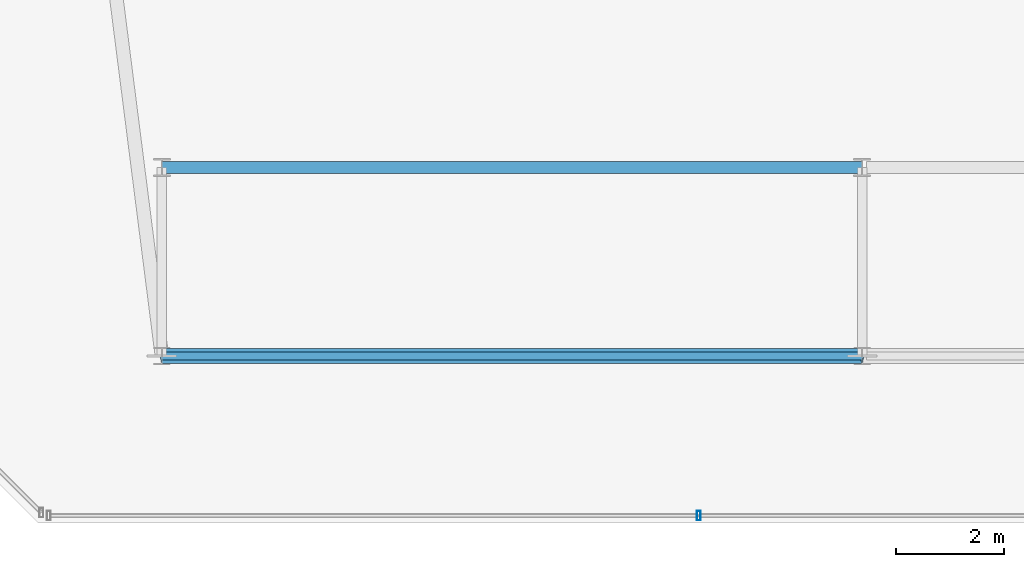
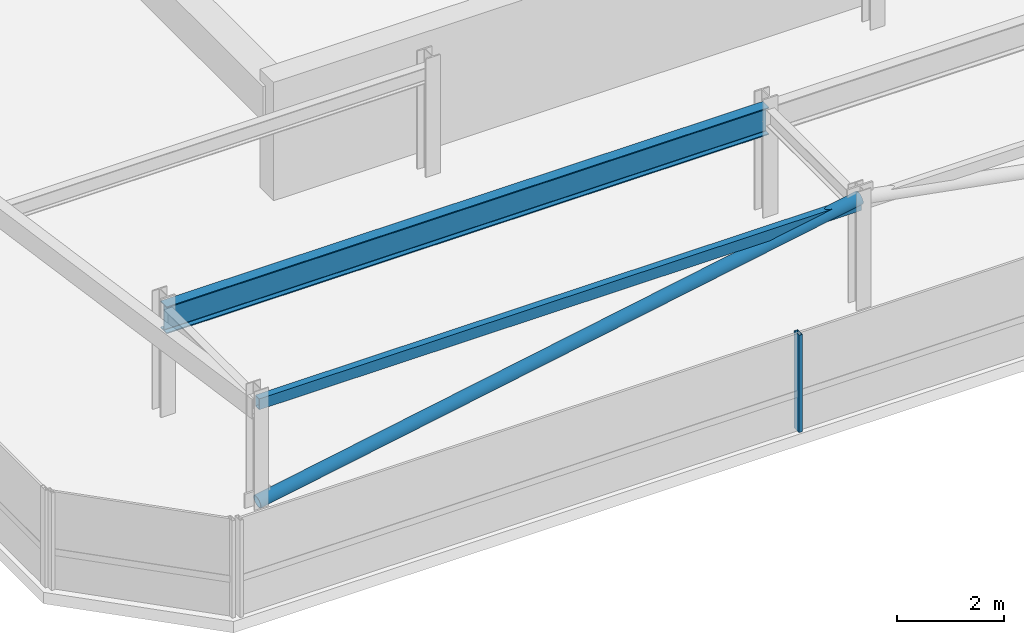
# One storey, part 8 of 42: 2 beams, 2 members, 1 element without a shape of its own.
"""IFC4 building model written with IfcOpenShell, lengths in metres."""

from ifc_helpers import new_model, si_unit, direction, frame, origin, origin_2d, place, context, subcontext, project, spatial, hollow_rectangle, hollow_circle, i_section, extrude, material, material_profile, profile_set, type_object, element, aggregate, save


model = new_model("IFC4")

# Units and contexts
model_context = context("Model", 3, precision=1e-05, world=origin(), true_north=direction((0.0, 1.0)))
body_context = subcontext(model_context, "Body", "Model", "MODEL_VIEW")
ifc_project = project(units=[si_unit("LENGTHUNIT", "METRE"), si_unit("AREAUNIT", "SQUARE_METRE"), si_unit("VOLUMEUNIT", "CUBIC_METRE"), si_unit("PLANEANGLEUNIT", "RADIAN"), si_unit("MASSUNIT", "GRAM", prefix="KILO")], contexts=[model_context])

# Site, building, storey
site_placement = place(None, origin())
site = spatial("IfcSite", under=ifc_project, at=site_placement, CompositionType="ELEMENT")
building_placement = place(site_placement, origin())
building = spatial("IfcBuilding", under=site, at=building_placement, Name="Thornwick Lancets Civic Towers", CompositionType="ELEMENT")
storey_placement = place(building_placement, frame((0.0, 0.0, 289.5)))
storey = spatial("IfcBuildingStorey", under=building, at=storey_placement, Name="C04", CompositionType="ELEMENT", Elevation=289.5)

# Beams
ifc_material_1 = material(Name="Steel S355JR", Category="steel")
ifc_material_profile_1 = material_profile(ifc_material_1, hollow_rectangle(XDim=0.14990234375, YDim=0.25, WallThickness=0.012451171875, at=origin_2d()), Name="RHS 250x150x12.5")
ifc_profile_set_1 = profile_set([ifc_material_profile_1], Name="Steel S355JR")
beam_type_1 = type_object("IfcBeamType", Name="BM_CROWN_RHS250", PredefinedType="BEAM", material=ifc_profile_set_1)
beam_1_placement = place(storey_placement, frame((12.5, 6.199951171875, 2.31494140625), z_axis=(1.0, 0.0, 0.0), x_axis=(0.0, 1.0, 0.0)))
element("IfcBeam", 1, at=beam_1_placement, inside=storey, type_object=beam_type_1, Name="BM-EDGE-C04-A-S0-1", PredefinedType="BEAM", context=body_context, shape_type="SweptSolid", body=[
    extrude(hollow_rectangle(XDim=0.14990234375, YDim=0.25, WallThickness=0.012451171875, at=origin_2d()), origin(), (0.0, 0.0, 1.0), 13.0),
])
ifc_material_profile_2 = material_profile(ifc_material_1, i_section(OverallWidth=0.230224609375, OverallDepth=0.6171875, WebThickness=0.01318359375, FlangeThickness=0.022216796875, FilletRadius=0.0126953125, at=origin_2d()), Name="UKB 610x229x140")
ifc_profile_set_2 = profile_set([ifc_material_profile_2], Name="Steel S355JR")
beam_type_2 = type_object("IfcBeamType", Name="BM_GIRD_610_140", PredefinedType="BEAM", material=ifc_profile_set_2)
beam_2_placement = place(storey_placement, frame((12.5, 9.699951171875, 2.13134765625), z_axis=(1.0, 0.0, 0.0), x_axis=(0.0, 1.0, 0.0)))
element("IfcBeam", 2, at=beam_2_placement, inside=storey, type_object=beam_type_2, Name="BM-SPINE-C04-A-0-1", PredefinedType="BEAM", context=body_context, shape_type="SweptSolid", body=[
    extrude(i_section(OverallWidth=0.230224609375, OverallDepth=0.6171875, WebThickness=0.01318359375, FlangeThickness=0.022216796875, FilletRadius=0.0126953125, at=origin_2d()), origin(), (0.0, 0.0, 1.0), 13.0),
])

# Curtain wall, member
ifc_material_2 = material(Name="Crown ring acoustic-louvre and glazing screen wall", Category="glass")
curtain_wall_type = type_object("IfcCurtainWallType", Name="CW_SYS_07", PredefinedType="NOTDEFINED", material=ifc_material_2)
curtain_wall_placement = place(storey_placement, origin())
curtain_wall = element("IfcCurtainWall", 3, at=curtain_wall_placement, inside=storey, type_object=curtain_wall_type, Name="C04 Curtain Wall CW-C04-A-E0", PredefinedType="NOTDEFINED")
ifc_material_3 = material(Name="Thermally broken bronze aluminium S355", Category="steel")
ifc_material_profile_3 = material_profile(ifc_material_3, hollow_rectangle(XDim=0.074951171875, YDim=0.179931640625, WallThickness=0.006103515625, at=origin_2d()), Name="RHS 180x75x6")
ifc_profile_set_3 = profile_set([ifc_material_profile_3], Name="Thermally broken bronze aluminium S355")
member_type_1 = type_object("IfcMemberType", Name="CW_MUL_180", PredefinedType="MULLION", material=ifc_profile_set_3)
member_1_placement = place(storey_placement, frame((22.46630859375, 3.2353515625, 0.0), z_axis=(0.0, 0.0, 1.0), x_axis=(1.0, 0.0, 0.0)))
member_1 = element("IfcMember", 4, at=member_1_placement, type_object=member_type_1, Name="CW-C04-A-E0 Mullion 1", PredefinedType="MULLION", context=body_context, shape_type="SweptSolid", body=[
    extrude(hollow_rectangle(XDim=0.074951171875, YDim=0.179931640625, WallThickness=0.006103515625, at=origin_2d()), origin(), (0.0, 0.0, 1.0), 2.219970703125),
])
aggregate(curtain_wall, [member_1])

# Member
ifc_material_profile_4 = material_profile(ifc_material_1, hollow_circle(Radius=0.136474609375, WallThickness=0.012451171875, at=origin_2d()), Name="CHS 273x12.5")
ifc_profile_set_4 = profile_set([ifc_material_profile_4], Name="Steel S355JR")
member_type_2 = type_object("IfcMemberType", Name="MEM_CROWN_CHS273", PredefinedType="BRACE", material=ifc_profile_set_4)
member_2_placement = place(storey_placement, frame((12.5, 6.199951171875, 0.050048828125), z_axis=(0.98351842104, 0.0, 0.180807951915), x_axis=(0.0, 1.0, 0.0)))
element("IfcMember", 5, at=member_2_placement, inside=storey, type_object=member_type_2, Name="C04 Crown Ring Lancet Rib A-S0-L", PredefinedType="BRACE", context=body_context, shape_type="SweptSolid", body=[
    extrude(hollow_circle(Radius=0.136474609375, WallThickness=0.012451171875, at=origin_2d()), origin(), (0.0, 0.0, 1.0), 13.2177734375),
])

save(model, "model.ifc")
